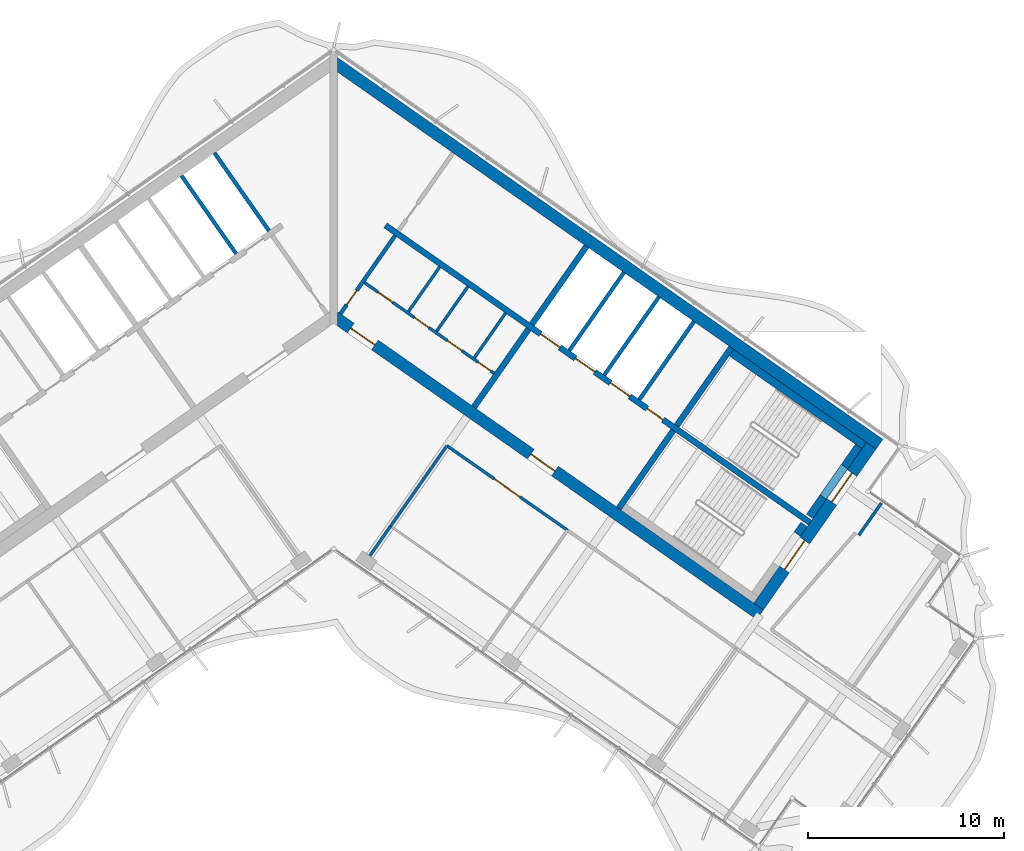
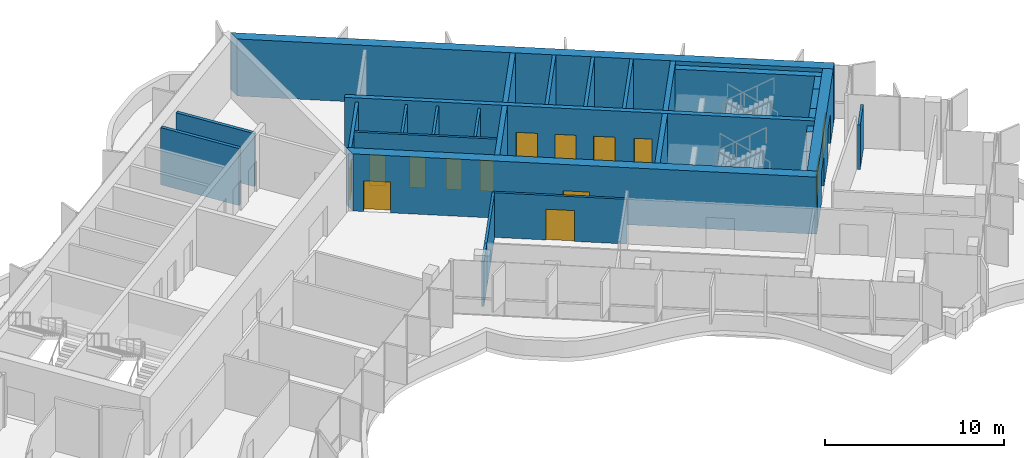
# One storey, part 13 of 20: 27 walls, 14 doors, 14 openings.
"""IFC4 building model written with IfcOpenShell, lengths in metres."""

from ifc_helpers import new_model, si_unit, direction, frame, frame_2d, origin, place, context, subcontext, project, spatial, polyline, rectangle, outline, extrude, material, layer, layer_set, type_object, element, fill, save


model = new_model("IFC4")

# Units and contexts
model_context = context("Model", 3, precision=1e-05, world=origin(), true_north=direction((0.0, 1.0)))
body_context = subcontext(model_context, "Body", "Model", "MODEL_VIEW")
ifc_project = project(units=[si_unit("LENGTHUNIT", "METRE"), si_unit("AREAUNIT", "SQUARE_METRE"), si_unit("VOLUMEUNIT", "CUBIC_METRE"), si_unit("PLANEANGLEUNIT", "RADIAN"), si_unit("MASSUNIT", "GRAM", prefix="KILO")], contexts=[model_context])

# Site, building, storey
site_placement = place(None, origin())
site = spatial("IfcSite", under=ifc_project, at=site_placement, CompositionType="ELEMENT")
building_placement = place(site_placement, origin())
building = spatial("IfcBuilding", under=site, at=building_placement, Name="Tel Ilan Convention Tower", CompositionType="ELEMENT")
storey_placement = place(building_placement, frame((0.0, 0.0, 233.199951171875)))
storey = spatial("IfcBuildingStorey", under=building, at=storey_placement, Name="L54", CompositionType="ELEMENT", Elevation=233.199951171875)

# Wall, openings, doors
ifc_material_1 = material(Name="Gypsum Plasterboard on Steel Stud", Category="steel")
ifc_layer_1 = layer(ifc_material_1, 0.14990234375)
ifc_layer_set_1 = layer_set([ifc_layer_1], Name="Core Room Partition Wall 150 mm EI 60")
wall_type_1 = type_object("IfcWallType", Name="Core Room Partition Wall 150 mm EI 60", PredefinedType="PARTITIONING", material=ifc_layer_set_1)
wall_1_placement = place(storey_placement, frame((1.572998046875, 0.851806640625, 0.0), z_axis=(0.0, 0.0, 1.0), x_axis=(0.819160673808, -0.573564111924, 0.0)))
wall_1 = element("IfcWall", 1, at=wall_1_placement, inside=storey, type_object=wall_type_1, Name="L54 core wall wc-h1", PredefinedType="PARTITIONING", context=body_context, shape_type="SweptSolid", body=[
    extrude(rectangle(XDim=8.050048828125, YDim=0.14990234375, at=frame_2d((4.02490234375, 0.0))), origin(), (0.0, 0.0, 1.0), 3.6201171875),
])
opening_1_placement = place(wall_1_placement, frame((0.85009765625, 0.0, 0.0)))
opening_1 = element("IfcOpeningElement", 2, at=opening_1_placement, cuts=wall_1, Name="Opening CD4214", PredefinedType="OPENING", context=body_context, shape_type="SweptSolid", body=[
    extrude(rectangle(XDim=0.89990234375, YDim=2.10009765625, at=frame_2d((0.449951171875, 1.050048828125))), frame((0.0, 0.0849609375, 0.0), z_axis=(0.0, -1.0, 0.0), x_axis=(1.0, 0.0, 0.0)), (0.0, 0.0, 1.0), 0.169921875),
])
opening_2_placement = place(wall_1_placement, frame((3.10009765625, 0.0, 0.0)))
opening_2 = element("IfcOpeningElement", 3, at=opening_2_placement, cuts=wall_1, Name="Opening CD4211", PredefinedType="OPENING", context=body_context, shape_type="SweptSolid", body=[
    extrude(rectangle(XDim=0.89990234375, YDim=2.10009765625, at=frame_2d((0.449951171875, 1.050048828125))), frame((0.0, 0.0849609375, 0.0), z_axis=(0.0, -1.0, 0.0), x_axis=(1.0, 0.0, 0.0)), (0.0, 0.0, 1.0), 0.169921875),
])
opening_3_placement = place(wall_1_placement, frame((5.14990234375, 0.0, 0.0)))
opening_3 = element("IfcOpeningElement", 4, at=opening_3_placement, cuts=wall_1, Name="Opening CD4213", PredefinedType="OPENING", context=body_context, shape_type="SweptSolid", body=[
    extrude(rectangle(XDim=0.89990234375, YDim=2.10009765625, at=frame_2d((0.449951171875, 1.050048828125))), frame((0.0, 0.0849609375, 0.0), z_axis=(0.0, -1.0, 0.0), x_axis=(1.0, 0.0, 0.0)), (0.0, 0.0, 1.0), 0.169921875),
])
opening_4_placement = place(wall_1_placement, frame((7.050048828125, 0.0, 0.0)))
opening_4 = element("IfcOpeningElement", 5, at=opening_4_placement, cuts=wall_1, Name="Opening CD4212", PredefinedType="OPENING", context=body_context, shape_type="SweptSolid", body=[
    extrude(rectangle(XDim=0.800048828125, YDim=2.10009765625, at=frame_2d((0.39990234375, 1.050048828125))), frame((0.0, 0.0849609375, 0.0), z_axis=(0.0, -1.0, 0.0), x_axis=(1.0, 0.0, 0.0)), (0.0, 0.0, 1.0), 0.169921875),
])
ifc_material_2 = material(Name="Galvanised Steel Door Leaf", Category="steel")
door_type_1 = type_object("IfcDoorType", Name="Store Door 800 x 2100 FD60", OperationType="NOTDEFINED", PredefinedType="DOOR", material=ifc_material_2)
door_1_placement = place(opening_4_placement, origin())
door_1 = element("IfcDoor", 6, at=door_1_placement, inside=storey, type_object=door_type_1, Name="Cleaner's store door", OperationType="SINGLE_SWING_RIGHT", OverallHeight=2.10009765625, OverallWidth=0.800048828125, PredefinedType="DOOR", context=body_context, shape_type="SweptSolid", body=[
    extrude(rectangle(XDim=0.800048828125, YDim=2.10009765625, at=frame_2d((0.39990234375, 1.050048828125))), frame((0.0, 0.02490234375, 0.0), z_axis=(0.0, -1.0, 0.0), x_axis=(1.0, 0.0, 0.0)), (0.0, 0.0, 1.0), 0.050048828125),
])
fill(opening_4, door_1)
ifc_material_3 = material(Name="Laminated Timber Door Leaf", Category="wood")
door_type_2 = type_object("IfcDoorType", Name="Toilet Door 900 x 2100 FD30S", OperationType="NOTDEFINED", PredefinedType="DOOR", material=ifc_material_3)
door_2_placement = place(opening_1_placement, origin())
door_2 = element("IfcDoor", 7, at=door_2_placement, inside=storey, type_object=door_type_2, Name="Women's WC door", OperationType="SINGLE_SWING_RIGHT", OverallHeight=2.10009765625, OverallWidth=0.89990234375, PredefinedType="DOOR", context=body_context, shape_type="SweptSolid", body=[
    extrude(rectangle(XDim=0.89990234375, YDim=2.10009765625, at=frame_2d((0.449951171875, 1.050048828125))), frame((0.0, 0.02490234375, 0.0), z_axis=(0.0, -1.0, 0.0), x_axis=(1.0, 0.0, 0.0)), (0.0, 0.0, 1.0), 0.050048828125),
])
fill(opening_1, door_2)
door_3_placement = place(opening_2_placement, origin())
door_3 = element("IfcDoor", 8, at=door_3_placement, inside=storey, type_object=door_type_2, Name="Accessible WC door", OperationType="SINGLE_SWING_RIGHT", OverallHeight=2.10009765625, OverallWidth=0.89990234375, PredefinedType="DOOR", context=body_context, shape_type="SweptSolid", body=[
    extrude(rectangle(XDim=0.89990234375, YDim=2.10009765625, at=frame_2d((0.449951171875, 1.050048828125))), frame((0.0, 0.02490234375, 0.0), z_axis=(0.0, -1.0, 0.0), x_axis=(1.0, 0.0, 0.0)), (0.0, 0.0, 1.0), 0.050048828125),
])
fill(opening_2, door_3)
door_4_placement = place(opening_3_placement, origin())
door_4 = element("IfcDoor", 9, at=door_4_placement, inside=storey, type_object=door_type_2, Name="Men's WC door", OperationType="SINGLE_SWING_RIGHT", OverallHeight=2.10009765625, OverallWidth=0.89990234375, PredefinedType="DOOR", context=body_context, shape_type="SweptSolid", body=[
    extrude(rectangle(XDim=0.89990234375, YDim=2.10009765625, at=frame_2d((0.449951171875, 1.050048828125))), frame((0.0, 0.02490234375, 0.0), z_axis=(0.0, -1.0, 0.0), x_axis=(1.0, 0.0, 0.0)), (0.0, 0.0, 1.0), 0.050048828125),
])
fill(opening_3, door_4)

# Walls
wall_2_placement = place(storey_placement, frame((3.807373046875, -0.62109375, 0.0), z_axis=(0.0, 0.0, 1.0), x_axis=(0.573539102583, 0.819178184407, 0.0)))
element("IfcWall", 10, at=wall_2_placement, inside=storey, type_object=wall_type_1, Name="L54 core wall wc-v0", PredefinedType="PARTITIONING", context=body_context, shape_type="SweptSolid", body=[
    extrude(rectangle(XDim=2.77490234375, YDim=0.14990234375, at=frame_2d((1.387451171875, 0.0))), origin(), (0.0, 0.0, 1.0), 3.6201171875),
])
for number, where, z_axis, x_axis, name in (
    (11, (5.24072265625, -1.625, 0.0), (0.0, 0.0, 1.0), (0.573598137089, 0.81913684884, 0.0), "L54 core wall wc-v1"),
    (12, (7.165771484375, -2.972900390625, 0.0), (0.0, 0.0, 1.0), (0.573598137089, 0.81913684884, 0.0), "L54 core wall wc-v2"),
):
    element("IfcWall", number, at=place(storey_placement, frame(where, z_axis=z_axis, x_axis=x_axis)), inside=storey, type_object=wall_type_1, Name=name, PredefinedType="PARTITIONING", context=body_context, shape_type="SweptSolid", body=[
        extrude(rectangle(XDim=2.775146484375, YDim=0.14990234375, at=frame_2d((1.3876953125, 0.0))), origin(), (0.0, 0.0, 1.0), 3.6201171875),
    ])
ifc_material_4 = material(Name="Concrete C30/37", Category="concrete")
ifc_layer_2 = layer(ifc_material_4, 0.199951171875)
ifc_layer_set_2 = layer_set([ifc_layer_2], Name="Core Service Room Wall 200 mm C30/37")
wall_type_2 = type_object("IfcWallType", Name="Core Service Room Wall 200 mm C30/37", PredefinedType="SOLIDWALL", material=ifc_layer_set_2)
wall_3_placement = place(storey_placement, frame((-3.2978515625, 3.489501953125, 0.0), z_axis=(0.0, 0.0, 1.0), x_axis=(-0.573560315113, 0.819163332265, 0.0)))
element("IfcWall", 13, at=wall_3_placement, inside=storey, type_object=wall_type_2, Name="L54 core wall apex-W-b", PredefinedType="SOLIDWALL", context=body_context, shape_type="SweptSolid", body=[
    extrude(rectangle(XDim=4.849853515625, YDim=0.199951171875, at=frame_2d((2.4248046875, 0.0))), origin(), (0.0, 0.0, 1.0), 3.6201171875),
])

# Wall, opening, door
wall_4_placement = place(storey_placement, frame((0.343994140625, -0.729248046875, 0.0), z_axis=(0.0, 0.0, 1.0), x_axis=(0.573560315113, 0.819163332265, 0.0)))
wall_4 = element("IfcWall", 14, at=wall_4_placement, inside=storey, type_object=wall_type_2, Name="L54 core wall apex-E", PredefinedType="SOLIDWALL", context=body_context, shape_type="SweptSolid", body=[
    extrude(rectangle(XDim=4.849853515625, YDim=0.199951171875, at=frame_2d((2.4248046875, 0.0))), origin(), (0.0, 0.0, 1.0), 3.6201171875),
])
opening_5_placement = place(wall_4_placement, frame((0.550048828125, 0.0, 0.0)))
opening_5 = element("IfcOpeningElement", 15, at=opening_5_placement, cuts=wall_4, Name="Opening CD4201", PredefinedType="OPENING", context=body_context, shape_type="SweptSolid", body=[
    extrude(rectangle(XDim=0.89990234375, YDim=2.10009765625, at=frame_2d((0.449951171875, 1.050048828125))), frame((0.0, 0.10986328125, 0.0), z_axis=(0.0, -1.0, 0.0), x_axis=(1.0, 0.0, 0.0)), (0.0, 0.0, 1.0), 0.219970703125),
])
ifc_material_5 = material(Name="Galvanised Steel Door Leaf", Category="steel")
door_type_3 = type_object("IfcDoorType", Name="Service Room Door 900 x 2100 FD60", OperationType="NOTDEFINED", PredefinedType="DOOR", material=ifc_material_5)
door_5_placement = place(opening_5_placement, origin())
door_5 = element("IfcDoor", 16, at=door_5_placement, inside=storey, type_object=door_type_3, Name="Data Room door", OperationType="SINGLE_SWING_RIGHT", OverallHeight=2.10009765625, OverallWidth=0.89990234375, PredefinedType="DOOR", context=body_context, shape_type="SweptSolid", body=[
    extrude(rectangle(XDim=0.89990234375, YDim=2.10009765625, at=frame_2d((0.449951171875, 1.050048828125))), frame((0.0, 0.02490234375, 0.0), z_axis=(0.0, -1.0, 0.0), x_axis=(1.0, 0.0, 0.0)), (0.0, 0.0, 1.0), 0.050048828125),
])
fill(opening_5, door_5)

# Walls
ifc_material_6 = material(Name="Concrete C40/50", Category="concrete")
ifc_layer_3 = layer(ifc_material_6, 0.300048828125)
ifc_layer_set_3 = layer_set([ifc_layer_3], Name="Core Shear Wall 300 mm C40/50")
wall_type_3 = type_object("IfcWallType", Name="Core Shear Wall 300 mm C40/50", PredefinedType="SHEAR", material=ifc_layer_set_3)
wall_5_placement = place(storey_placement, frame((7.142822265625, -5.48974609375, 0.0), z_axis=(0.0, 0.0, 1.0), x_axis=(0.573617744349, 0.819123118565, 0.0)))
element("IfcWall", 17, at=wall_5_placement, inside=storey, type_object=wall_type_3, Name="L54 core wall E-cross1-1", PredefinedType="SHEAR", context=body_context, shape_type="SweptSolid", body=[
    extrude(outline(polyline([(0.0, 0.14990234375), (0.0, -0.150146484375), (4.85009765625, -0.14990234375), (4.85009765625, 0.150146484375), (0.0, 0.14990234375)])), origin(), (0.0, 0.0, 1.0), 3.900146484375),
])
wall_6_placement = place(storey_placement, frame((10.096923828125, -1.271240234375, 0.0), z_axis=(0.0, 0.0, 1.0), x_axis=(0.573560315113, 0.819163332265, 0.0)))
element("IfcWall", 18, at=wall_6_placement, inside=storey, type_object=wall_type_3, Name="L54 core wall E-cross1-2", PredefinedType="SHEAR", context=body_context, shape_type="SweptSolid", body=[
    extrude(outline(polyline([(4.849853515625, -0.150146484375), (4.849853515625, 0.14990234375), (0.0, 0.150146484375), (0.0, -0.14990234375), (4.849853515625, -0.150146484375)])), origin(), (0.0, 0.0, 1.0), 3.900146484375),
])
wall_7_placement = place(storey_placement, frame((14.515380859375, -10.652099609375, 0.0), z_axis=(0.0, 0.0, 1.0), x_axis=(0.573560315113, 0.819163332265, 0.0)))
element("IfcWall", 19, at=wall_7_placement, inside=storey, type_object=wall_type_3, Name="L54 core wall E-cross2-1", PredefinedType="SHEAR", context=body_context, shape_type="SweptSolid", body=[
    extrude(outline(polyline([(0.0, 0.150146484375), (0.0, -0.14990234375), (4.85009765625, -0.14990234375), (4.85009765625, 0.14990234375), (0.0, 0.150146484375)])), origin(), (0.0, 0.0, 1.0), 3.900146484375),
])
wall_8_placement = place(storey_placement, frame((17.46923828125, -6.433349609375, 0.0), z_axis=(0.0, 0.0, 1.0), x_axis=(0.573594092424, 0.81913968109, 0.0)))
element("IfcWall", 20, at=wall_8_placement, inside=storey, type_object=wall_type_3, Name="L54 core wall E-cross2-2", PredefinedType="SHEAR", context=body_context, shape_type="SweptSolid", body=[
    extrude(outline(polyline([(4.849853515625, -0.14990234375), (4.849853515625, 0.150146484375), (0.0, 0.14990234375), (0.0, -0.14990234375), (4.849853515625, -0.14990234375)])), origin(), (0.0, 0.0, 1.0), 3.900146484375),
])

# Wall, openings, doors
wall_9_placement = place(storey_placement, frame((2.638427734375, 3.76806640625, 0.0), z_axis=(0.0, 0.0, 1.0), x_axis=(0.819155014212, -0.573572194837, 0.0)))
wall_9 = element("IfcWall", 21, at=wall_9_placement, inside=storey, type_object=wall_type_3, Name="L54 core wall E-spine", PredefinedType="SHEAR", context=body_context, shape_type="SweptSolid", body=[
    extrude(outline(polyline([(0.0, 0.150146484375), (0.0, -0.14990234375), (26.39990234375, -0.150146484375), (26.39990234375, 0.14990234375), (0.0, 0.150146484375)])), origin(), (0.0, 0.0, 1.0), 3.900146484375),
])
opening_6_placement = place(wall_9_placement, frame((9.637451171875, 0.0, 0.0)))
opening_6 = element("IfcOpeningElement", 22, at=opening_6_placement, cuts=wall_9, Name="Opening LD4201", PredefinedType="OPENING", context=body_context, shape_type="SweptSolid", body=[
    extrude(rectangle(XDim=1.199951171875, YDim=2.10009765625, at=frame_2d((0.60009765625, 1.050048828125))), frame((0.0, 0.159912109375, 0.0), z_axis=(0.0, -1.0, 0.0), x_axis=(1.0, 0.0, 0.0)), (0.0, 0.0, 1.0), 0.320068359375),
])
opening_7_placement = place(wall_9_placement, frame((11.8125, 0.0, 0.0)))
opening_7 = element("IfcOpeningElement", 23, at=opening_7_placement, cuts=wall_9, Name="Opening LD4202", PredefinedType="OPENING", context=body_context, shape_type="SweptSolid", body=[
    extrude(rectangle(XDim=1.199951171875, YDim=2.10009765625, at=frame_2d((0.60009765625, 1.050048828125))), frame((0.0, 0.159912109375, 0.0), z_axis=(0.0, -1.0, 0.0), x_axis=(1.0, 0.0, 0.0)), (0.0, 0.0, 1.0), 0.320068359375),
])
opening_8_placement = place(wall_9_placement, frame((13.987548828125, 0.0, 0.0)))
opening_8 = element("IfcOpeningElement", 24, at=opening_8_placement, cuts=wall_9, Name="Opening LD4203", PredefinedType="OPENING", context=body_context, shape_type="SweptSolid", body=[
    extrude(rectangle(XDim=1.199951171875, YDim=2.10009765625, at=frame_2d((0.60009765625, 1.050048828125))), frame((0.0, 0.159912109375, 0.0), z_axis=(0.0, -1.0, 0.0), x_axis=(1.0, 0.0, 0.0)), (0.0, 0.0, 1.0), 0.320068359375),
])
opening_9_placement = place(wall_9_placement, frame((16.262451171875, 0.0, 0.0)))
opening_9 = element("IfcOpeningElement", 25, at=opening_9_placement, cuts=wall_9, Name="Opening CD4208", PredefinedType="OPENING", context=body_context, shape_type="SweptSolid", body=[
    extrude(rectangle(XDim=1.0, YDim=2.10009765625, at=frame_2d((0.5, 1.050048828125))), frame((0.0, 0.159912109375, 0.0), z_axis=(0.0, -1.0, 0.0), x_axis=(1.0, 0.0, 0.0)), (0.0, 0.0, 1.0), 0.320068359375),
])
ifc_material_7 = material(Name="Stainless Steel Sliding Door Leaf", Category="steel")
door_type_4 = type_object("IfcDoorType", Name="Lift Landing Door 1200 x 2100 FD120", OperationType="NOTDEFINED", PredefinedType="DOOR", material=ifc_material_7)
door_6_placement = place(opening_6_placement, origin())
door_6 = element("IfcDoor", 26, at=door_6_placement, inside=storey, type_object=door_type_4, Name="Lift FL1 landing door", OperationType="SLIDING_TO_LEFT", OverallHeight=2.10009765625, OverallWidth=1.199951171875, PredefinedType="DOOR", context=body_context, shape_type="SweptSolid", body=[
    extrude(rectangle(XDim=1.199951171875, YDim=2.10009765625, at=frame_2d((0.60009765625, 1.050048828125))), frame((0.0, 0.02490234375, 0.0), z_axis=(0.0, -1.0, 0.0), x_axis=(1.0, 0.0, 0.0)), (0.0, 0.0, 1.0), 0.050048828125),
])
fill(opening_6, door_6)
door_7_placement = place(opening_7_placement, origin())
door_7 = element("IfcDoor", 27, at=door_7_placement, inside=storey, type_object=door_type_4, Name="Lift FL2 landing door", OperationType="SLIDING_TO_RIGHT", OverallHeight=2.10009765625, OverallWidth=1.199951171875, PredefinedType="DOOR", context=body_context, shape_type="SweptSolid", body=[
    extrude(rectangle(XDim=1.199951171875, YDim=2.10009765625, at=frame_2d((0.60009765625, 1.050048828125))), frame((0.0, 0.02490234375, 0.0), z_axis=(0.0, -1.0, 0.0), x_axis=(1.0, 0.0, 0.0)), (0.0, 0.0, 1.0), 0.050048828125),
])
fill(opening_7, door_7)
door_8_placement = place(opening_8_placement, origin())
door_8 = element("IfcDoor", 28, at=door_8_placement, inside=storey, type_object=door_type_4, Name="Lift FL3 landing door", OperationType="SLIDING_TO_LEFT", OverallHeight=2.10009765625, OverallWidth=1.199951171875, PredefinedType="DOOR", context=body_context, shape_type="SweptSolid", body=[
    extrude(rectangle(XDim=1.199951171875, YDim=2.10009765625, at=frame_2d((0.60009765625, 1.050048828125))), frame((0.0, 0.02490234375, 0.0), z_axis=(0.0, -1.0, 0.0), x_axis=(1.0, 0.0, 0.0)), (0.0, 0.0, 1.0), 0.050048828125),
])
fill(opening_8, door_8)
ifc_material_8 = material(Name="Galvanised Steel Door Leaf", Category="steel")
door_type_5 = type_object("IfcDoorType", Name="Service Room Door 1000 x 2100 FD60", OperationType="NOTDEFINED", PredefinedType="DOOR", material=ifc_material_8)
door_9_placement = place(opening_9_placement, origin())
door_9 = element("IfcDoor", 29, at=door_9_placement, inside=storey, type_object=door_type_5, Name="Plant Room door", OperationType="SINGLE_SWING_RIGHT", OverallHeight=2.10009765625, OverallWidth=1.0, PredefinedType="DOOR", context=body_context, shape_type="SweptSolid", body=[
    extrude(rectangle(XDim=1.0, YDim=2.10009765625, at=frame_2d((0.5, 1.050048828125))), frame((0.0, 0.02490234375, 0.0), z_axis=(0.0, -1.0, 0.0), x_axis=(1.0, 0.0, 0.0)), (0.0, 0.0, 1.0), 0.050048828125),
])
fill(opening_9, door_9)

# Wall
ifc_material_9 = material(Name="Concrete C40/50", Category="concrete")
ifc_layer_4 = layer(ifc_material_9, 0.60009765625)
ifc_layer_set_4 = layer_set([ifc_layer_4], Name="Core Shear Wall 600 mm C40/50")
wall_type_4 = type_object("IfcWallType", Name="Core Shear Wall 600 mm C40/50", PredefinedType="SHEAR", material=ifc_layer_set_4)
wall_10_placement = place(storey_placement, frame((0.02783203125, 12.066162109375, 0.0), z_axis=(0.0, 0.0, 1.0), x_axis=(0.819151382952, -0.573577380837, 0.0)))
element("IfcWall", 30, at=wall_10_placement, inside=storey, type_object=wall_type_4, Name="L54 core wall E-back", PredefinedType="SHEAR", context=body_context, shape_type="SweptSolid", body=[
    extrude(outline(polyline([(33.898193359375, 0.300048828125), (0.0, 0.300048828125), (0.420166015625, -0.300048828125), (33.89794921875, -0.300048828125), (33.898193359375, 0.300048828125)])), origin(), (0.0, 0.0, 1.0), 3.900146484375),
])

# Wall, openings, doors
wall_11_placement = place(storey_placement, frame((0.02783203125, -0.8740234375, 0.0), z_axis=(0.0, 0.0, 1.0), x_axis=(0.819150035022, -0.573579305871, 0.0)))
wall_11 = element("IfcWall", 31, at=wall_11_placement, inside=storey, type_object=wall_type_4, Name="L54 core wall E-front", PredefinedType="SHEAR", context=body_context, shape_type="SweptSolid", body=[
    extrude(outline(polyline([(26.475830078125, 0.300048828125), (0.000244140625, 0.300048828125), (0.420166015625, -0.300048828125), (26.475830078125, -0.2998046875), (26.475830078125, 0.300048828125)])), origin(), (0.0, 0.0, 1.0), 3.900146484375),
])
opening_10_placement = place(wall_11_placement, frame((1.02587890625, 0.0, 0.0)))
opening_10 = element("IfcOpeningElement", 32, at=opening_10_placement, cuts=wall_11, Name="Opening CD4204", PredefinedType="OPENING", context=body_context, shape_type="SweptSolid", body=[
    extrude(rectangle(XDim=1.5, YDim=2.10009765625, at=frame_2d((0.75, 1.050048828125))), frame((0.0, 0.31005859375, 0.0), z_axis=(0.0, -1.0, 0.0), x_axis=(1.0, 0.0, 0.0)), (0.0, 0.0, 1.0), 0.6201171875),
])
opening_11_placement = place(wall_11_placement, frame((12.225830078125, 0.0, 0.0)))
opening_11 = element("IfcOpeningElement", 33, at=opening_11_placement, cuts=wall_11, Name="Opening CD4205", PredefinedType="OPENING", context=body_context, shape_type="SweptSolid", body=[
    extrude(rectangle(XDim=1.5, YDim=2.10009765625, at=frame_2d((0.75, 1.050048828125))), frame((0.0, 0.31005859375, 0.0), z_axis=(0.0, -1.0, 0.0), x_axis=(1.0, 0.0, 0.0)), (0.0, 0.0, 1.0), 0.6201171875),
])
ifc_material_10 = material(Name="Glazed Aluminium Door Leaf", Category="aluminium")
door_type_6 = type_object("IfcDoorType", Name="Lobby Opening Door 1500 x 2100 FD60S", OperationType="NOTDEFINED", PredefinedType="DOOR", material=ifc_material_10)
door_10_placement = place(opening_11_placement, origin())
door_10 = element("IfcDoor", 34, at=door_10_placement, inside=storey, type_object=door_type_6, Name="Firefighting Lobby door", OperationType="DOUBLE_DOOR_SINGLE_SWING", OverallHeight=2.10009765625, OverallWidth=1.5, PredefinedType="DOOR", context=body_context, shape_type="SweptSolid", body=[
    extrude(rectangle(XDim=1.5, YDim=2.10009765625, at=frame_2d((0.75, 1.050048828125))), frame((0.0, 0.02490234375, 0.0), z_axis=(0.0, -1.0, 0.0), x_axis=(1.0, 0.0, 0.0)), (0.0, 0.0, 1.0), 0.050048828125),
])
fill(opening_11, door_10)
ifc_material_11 = material(Name="Laminated Timber Door Leaf", Category="wood")
door_type_7 = type_object("IfcDoorType", Name="Toilet Door 1500 x 2100 FD30S", OperationType="NOTDEFINED", PredefinedType="DOOR", material=ifc_material_11)
door_11_placement = place(opening_10_placement, origin())
door_11 = element("IfcDoor", 35, at=door_11_placement, inside=storey, type_object=door_type_7, Name="WC Lobby door", OperationType="SINGLE_SWING_RIGHT", OverallHeight=2.10009765625, OverallWidth=1.5, PredefinedType="DOOR", context=body_context, shape_type="SweptSolid", body=[
    extrude(rectangle(XDim=1.5, YDim=2.10009765625, at=frame_2d((0.75, 1.050048828125))), frame((0.0, 0.02490234375, 0.0), z_axis=(0.0, -1.0, 0.0), x_axis=(1.0, 0.0, 0.0)), (0.0, 0.0, 1.0), 0.050048828125),
])
fill(opening_10, door_11)

wall_12_placement = place(storey_placement, frame((21.641845703125, -15.64208984375, 0.0), z_axis=(0.0, 0.0, 1.0), x_axis=(0.573586866468, 0.819144740944, 0.0)))
wall_12 = element("IfcWall", 36, at=wall_12_placement, inside=storey, type_object=wall_type_4, Name="L54 core wall E-end", PredefinedType="SHEAR", context=body_context, shape_type="SweptSolid", body=[
    extrude(outline(polyline([(10.0, 0.300048828125), (0.0, 0.2998046875), (0.0, -0.300048828125), (10.0, -0.300048828125), (10.0, 0.300048828125)])), origin(), (0.0, 0.0, 1.0), 3.900146484375),
])
opening_12_placement = place(wall_12_placement, frame((6.5, 0.0, 0.0)))
opening_12 = element("IfcOpeningElement", 37, at=opening_12_placement, cuts=wall_12, Name="Opening SD4203", PredefinedType="OPENING", context=body_context, shape_type="SweptSolid", body=[
    extrude(rectangle(XDim=1.800048828125, YDim=2.10009765625, at=frame_2d((0.89990234375, 1.050048828125))), frame((0.0, 0.31005859375, 0.0), z_axis=(0.0, -1.0, 0.0), x_axis=(1.0, 0.0, 0.0)), (0.0, 0.0, 1.0), 0.6201171875),
])
opening_13_placement = place(wall_12_placement, frame((2.300048828125, 0.0, 0.0)))
opening_13 = element("IfcOpeningElement", 38, at=opening_13_placement, cuts=wall_12, Name="Opening SD4204", PredefinedType="OPENING", context=body_context, shape_type="SweptSolid", body=[
    extrude(rectangle(XDim=1.800048828125, YDim=2.10009765625, at=frame_2d((0.89990234375, 1.050048828125))), frame((0.0, 0.31005859375, 0.0), z_axis=(0.0, -1.0, 0.0), x_axis=(1.0, 0.0, 0.0)), (0.0, 0.0, 1.0), 0.6201171875),
])
ifc_material_12 = material(Name="Galvanised Steel Door Leaf", Category="steel")
door_type_8 = type_object("IfcDoorType", Name="Stair Fire Door 1800 x 2100 FD60S", OperationType="NOTDEFINED", PredefinedType="DOOR", material=ifc_material_12)
door_12_placement = place(opening_12_placement, origin())
door_12 = element("IfcDoor", 39, at=door_12_placement, inside=storey, type_object=door_type_8, Name="Stair S3 door", OperationType="DOUBLE_DOOR_SINGLE_SWING", OverallHeight=2.10009765625, OverallWidth=1.800048828125, PredefinedType="DOOR", context=body_context, shape_type="SweptSolid", body=[
    extrude(rectangle(XDim=1.800048828125, YDim=2.10009765625, at=frame_2d((0.89990234375, 1.050048828125))), frame((0.0, 0.02490234375, 0.0), z_axis=(0.0, -1.0, 0.0), x_axis=(1.0, 0.0, 0.0)), (0.0, 0.0, 1.0), 0.050048828125),
])
fill(opening_12, door_12)
door_13_placement = place(opening_13_placement, origin())
door_13 = element("IfcDoor", 40, at=door_13_placement, inside=storey, type_object=door_type_8, Name="Stair S4 door", OperationType="DOUBLE_DOOR_SINGLE_SWING", OverallHeight=2.10009765625, OverallWidth=1.800048828125, PredefinedType="DOOR", context=body_context, shape_type="SweptSolid", body=[
    extrude(rectangle(XDim=1.800048828125, YDim=2.10009765625, at=frame_2d((0.89990234375, 1.050048828125))), frame((0.0, 0.02490234375, 0.0), z_axis=(0.0, -1.0, 0.0), x_axis=(1.0, 0.0, 0.0)), (0.0, 0.0, 1.0), 0.050048828125),
])
fill(opening_13, door_13)

# Wall, opening, door
ifc_material_13 = material(Name="Plasterboard on Steel Studs", Category="steel")
ifc_layer_5 = layer(ifc_material_13, 0.14990234375)
ifc_layer_set_5 = layer_set([ifc_layer_5], Name="Fire-rated Partition 150 EI 60")
wall_type_5 = type_object("IfcWallType", Name="Fire-rated Partition 150 EI 60", PredefinedType="PARTITIONING", material=ifc_layer_set_5)
wall_13_placement = place(storey_placement, frame((11.91162109375, -11.7587890625, 0.0), z_axis=(0.0, 0.0, 1.0), x_axis=(-0.819150881364, 0.573578097177, 0.0)))
wall_13 = element("IfcWall", 41, at=wall_13_placement, inside=storey, type_object=wall_type_5, Name="Partition 003", PredefinedType="PARTITIONING", context=body_context, shape_type="SweptSolid", body=[
    extrude(rectangle(XDim=7.501953125, YDim=0.14990234375, at=frame_2d((3.7509765625, 0.0))), origin(), (0.0, 0.0, 1.0), 3.050048828125),
])
opening_14_placement = place(wall_13_placement, frame((2.950927734375, 0.0, 0.0)))
opening_14 = element("IfcOpeningElement", 42, at=opening_14_placement, cuts=wall_13, Name="Opening L53-009", PredefinedType="OPENING", context=body_context, shape_type="SweptSolid", body=[
    extrude(rectangle(XDim=1.60009765625, YDim=2.10009765625, at=frame_2d((0.800048828125, 1.050048828125))), frame((0.0, 0.0849609375, 0.0), z_axis=(0.0, -1.0, 0.0), x_axis=(1.0, 0.0, 0.0)), (0.0, 0.0, 1.0), 0.169921875),
])
ifc_material_14 = material(Name="Timber Door Leaf in Steel Frame", Category="steel")
door_type_9 = type_object("IfcDoorType", Name="Tenant Suite Entrance Fire Door 1600x2100", OperationType="NOTDEFINED", PredefinedType="DOOR", material=ifc_material_14)
door_14_placement = place(opening_14_placement, origin())
door_14 = element("IfcDoor", 43, at=door_14_placement, inside=storey, type_object=door_type_9, Name="Door L53-009", OperationType="DOUBLE_DOOR_SINGLE_SWING", OverallHeight=2.10009765625, OverallWidth=1.60009765625, PredefinedType="DOOR", context=body_context, shape_type="SweptSolid", body=[
    extrude(rectangle(XDim=1.60009765625, YDim=2.10009765625, at=frame_2d((0.800048828125, 1.050048828125))), frame((0.0, 0.02490234375, 0.0), z_axis=(0.0, -1.0, 0.0), x_axis=(1.0, 0.0, 0.0)), (0.0, 0.0, 1.0), 0.050048828125),
])
fill(opening_14, door_14)

# Walls
wall_14_placement = place(storey_placement, frame((26.74609375, -12.013671875, 0.0), z_axis=(0.0, 0.0, 1.0), x_axis=(0.573568836472, 0.819157365729, 0.0)))
element("IfcWall", 44, at=wall_14_placement, inside=storey, type_object=wall_type_5, Name="Partition 015", PredefinedType="PARTITIONING", context=body_context, shape_type="SweptSolid", body=[
    extrude(rectangle(XDim=2.000244140625, YDim=0.14990234375, at=frame_2d((1.0, 0.0))), origin(), (0.0, 0.0, 1.0), 3.050048828125),
])
wall_15_placement = place(storey_placement, frame((1.848876953125, -13.050537109375, 0.0), z_axis=(0.0, 0.0, 1.0), x_axis=(0.573623601139, 0.819119017125, 0.0)))
element("IfcWall", 45, at=wall_15_placement, inside=storey, type_object=wall_type_5, Name="Partition 018", PredefinedType="PARTITIONING", context=body_context, shape_type="SweptSolid", body=[
    extrude(rectangle(XDim=1.828857421875, YDim=0.14990234375, at=frame_2d((0.91455078125, 0.0))), origin(), (0.0, 0.0, 1.0), 3.050048828125),
])
wall_16_placement = place(storey_placement, frame((2.8984375, -11.551513671875, 0.0), z_axis=(0.0, 0.0, 1.0), x_axis=(0.573586866468, 0.819144740944, 0.0)))
element("IfcWall", 46, at=wall_16_placement, inside=storey, type_object=wall_type_5, Name="Partition 020", PredefinedType="PARTITIONING", context=body_context, shape_type="SweptSolid", body=[
    extrude(rectangle(XDim=5.0, YDim=0.14990234375, at=frame_2d((2.5, 0.0))), origin(), (0.0, 0.0, 1.0), 3.050048828125),
])
ifc_material_15 = material(Name="Concrete C30/37", Category="concrete")
ifc_layer_6 = layer(ifc_material_15, 0.199951171875)
ifc_layer_set_6 = layer_set([ifc_layer_6], Name="Lift Shaft Wall 200 mm C30/37")
wall_type_6 = type_object("IfcWallType", Name="Lift Shaft Wall 200 mm C30/37", PredefinedType="SOLIDWALL", material=ifc_layer_set_6)
wall_17_placement = place(storey_placement, frame((-4.966796875, 2.32080078125, 0.0), z_axis=(0.0, 0.0, 1.0), x_axis=(-0.573594092424, 0.81913968109, 0.0)))
element("IfcWall", 47, at=wall_17_placement, inside=storey, type_object=wall_type_6, Name="L54 core wall bank-W1-p0", PredefinedType="SOLIDWALL", context=body_context, shape_type="SweptSolid", body=[
    extrude(rectangle(XDim=4.85009765625, YDim=0.199951171875, at=frame_2d((2.425048828125, 0.0))), origin(), (0.0, 0.0, 1.0), 3.900146484375),
])
wall_18_placement = place(storey_placement, frame((12.00146484375, -2.604736328125, 0.0), z_axis=(0.0, 0.0, 1.0), x_axis=(0.573560315113, 0.819163332265, 0.0)))
element("IfcWall", 48, at=wall_18_placement, inside=storey, type_object=wall_type_6, Name="L54 core wall bank-E2-p0", PredefinedType="SOLIDWALL", context=body_context, shape_type="SweptSolid", body=[
    extrude(rectangle(XDim=4.849853515625, YDim=0.199951171875, at=frame_2d((2.4248046875, 0.0))), origin(), (0.0, 0.0, 1.0), 3.900146484375),
])
wall_19_placement = place(storey_placement, frame((13.782958984375, -3.852294921875, 0.0), z_axis=(0.0, 0.0, 1.0), x_axis=(0.573594092424, 0.81913968109, 0.0)))
element("IfcWall", 49, at=wall_19_placement, inside=storey, type_object=wall_type_6, Name="L54 core wall bank-E2-p1", PredefinedType="SOLIDWALL", context=body_context, shape_type="SweptSolid", body=[
    extrude(rectangle(XDim=4.85009765625, YDim=0.199951171875, at=frame_2d((2.425048828125, 0.0))), origin(), (0.0, 0.0, 1.0), 3.900146484375),
])
wall_20_placement = place(storey_placement, frame((15.564697265625, -5.099853515625, 0.0), z_axis=(0.0, 0.0, 1.0), x_axis=(0.573560315113, 0.819163332265, 0.0)))
element("IfcWall", 50, at=wall_20_placement, inside=storey, type_object=wall_type_6, Name="L54 core wall bank-E2-p2", PredefinedType="SOLIDWALL", context=body_context, shape_type="SweptSolid", body=[
    extrude(rectangle(XDim=4.849853515625, YDim=0.199951171875, at=frame_2d((2.4248046875, 0.0))), origin(), (0.0, 0.0, 1.0), 3.900146484375),
])
ifc_material_16 = material(Name="Concrete C30/37", Category="concrete")
ifc_layer_7 = layer(ifc_material_16, 0.39990234375)
ifc_layer_set_7 = layer_set([ifc_layer_7], Name="Stair and Shaft Lining Wall 400 mm C30/37")
wall_type_7 = type_object("IfcWallType", Name="Stair and Shaft Lining Wall 400 mm C30/37", PredefinedType="SOLIDWALL", material=ifc_layer_set_7)
wall_21_placement = place(storey_placement, frame((20.25927734375, -2.71044921875, 0.0), z_axis=(0.0, 0.0, 1.0), x_axis=(0.81914849389, -0.573581506813, 0.0)))
element("IfcWall", 51, at=wall_21_placement, inside=storey, type_object=wall_type_7, Name="L54 core wall lining-S3-t1", PredefinedType="SOLIDWALL", context=body_context, shape_type="SweptSolid", body=[
    extrude(rectangle(XDim=8.249755859375, YDim=0.39990234375, at=frame_2d((4.125, 0.0))), origin(), (0.0, 0.0, 1.0), 3.6201171875),
])
wall_22_placement = place(storey_placement, frame((24.24365234375, -11.0546875, 0.0), z_axis=(0.0, 0.0, 1.0), x_axis=(0.573571582932, 0.819155442668, 0.0)))
element("IfcWall", 52, at=wall_22_placement, inside=storey, type_object=wall_type_7, Name="L54 core wall lining-S3-u1-0", PredefinedType="SOLIDWALL", context=body_context, shape_type="SweptSolid", body=[
    extrude(rectangle(XDim=1.199951171875, YDim=0.39990234375, at=frame_2d((0.60009765625, 0.0))), origin(), (0.0, 0.0, 1.0), 3.6201171875),
])
wall_23_placement = place(storey_placement, frame((26.021728515625, -8.515380859375, 0.0), z_axis=(0.0, 0.0, 1.0), x_axis=(0.573619628835, 0.819121798889, 0.0)))
element("IfcWall", 53, at=wall_23_placement, inside=storey, type_object=wall_type_7, Name="L54 core wall lining-S3-u1-1", PredefinedType="SOLIDWALL", context=body_context, shape_type="SweptSolid", body=[
    extrude(rectangle(XDim=1.25, YDim=0.39990234375, at=frame_2d((0.625, 0.0))), origin(), (0.0, 0.0, 1.0), 3.6201171875),
])
wall_24_placement = place(storey_placement, frame((24.931884765625, -10.07177734375, 2.150146484375), z_axis=(0.0, 0.0, 1.0), x_axis=(0.573591692345, 0.819141361715, 0.0)))
element("IfcWall", 54, at=wall_24_placement, inside=storey, type_object=wall_type_7, Name="L54 core wall lining-S3-u1-lintel", PredefinedType="SOLIDWALL", context=body_context, shape_type="SweptSolid", body=[
    extrude(rectangle(XDim=1.900146484375, YDim=0.39990234375, at=frame_2d((0.9501953125, 0.0))), origin(), (0.0, 0.0, 1.0), 1.469970703125),
])
wall_25_placement = place(storey_placement, frame((23.61279296875, -11.955810546875, 0.0), z_axis=(0.0, 0.0, 1.0), x_axis=(0.573435029941, 0.819251039936, 0.0)))
element("IfcWall", 55, at=wall_25_placement, inside=storey, type_object=wall_type_7, Name="L54 core wall lining-S4-u1-1", PredefinedType="SOLIDWALL", context=body_context, shape_type="SweptSolid", body=[
    extrude(rectangle(XDim=0.599853515625, YDim=0.39990234375, at=frame_2d((0.2998046875, 0.0))), origin(), (0.0, 0.0, 1.0), 3.6201171875),
])

save(model, "model.ifc")
